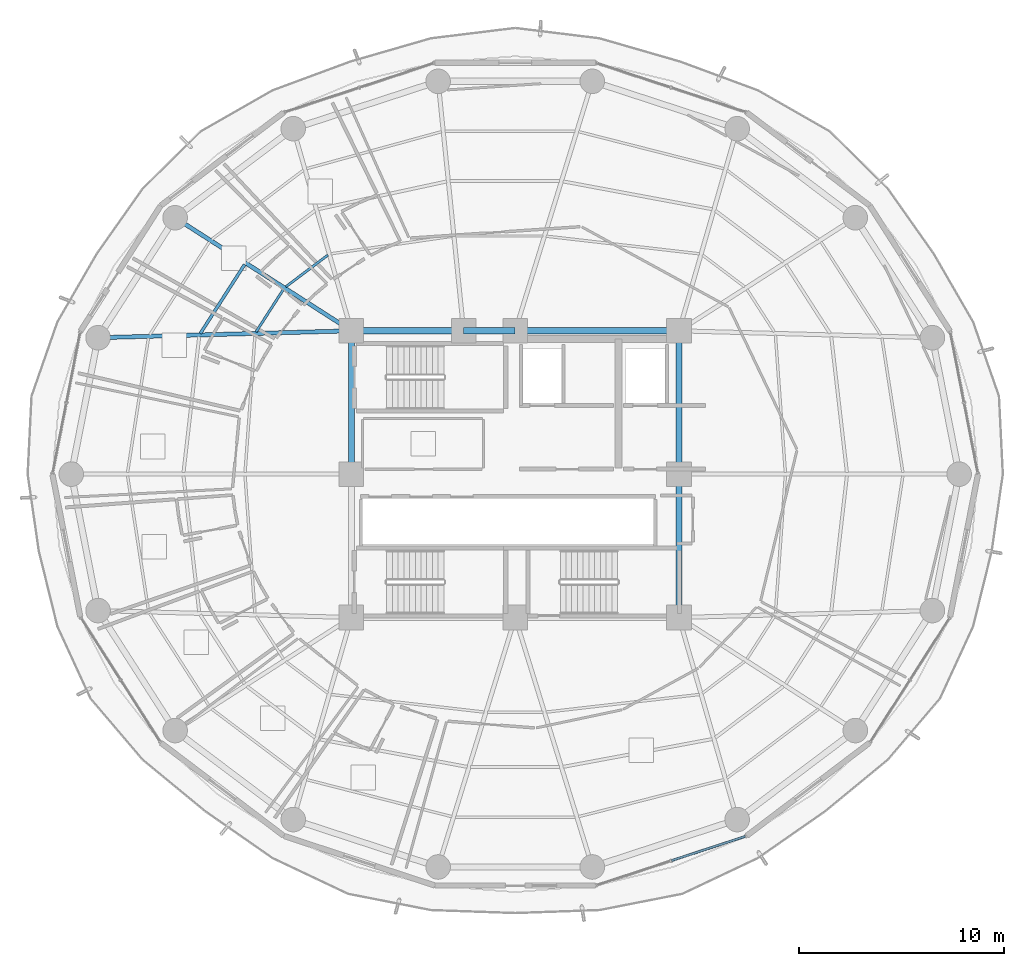
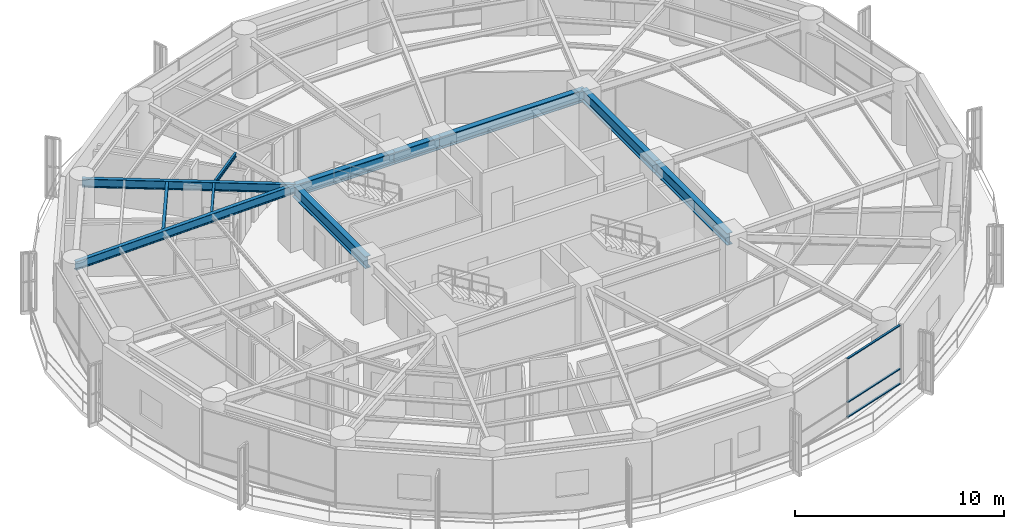
# One storey, part 9 of 27: 11 beams, 3 members, 1 element without a shape of its own.
"""IFC4 building model written with IfcOpenShell, lengths in metres."""

from ifc_helpers import new_model, si_unit, direction, frame, origin, origin_2d, place, context, subcontext, project, spatial, hollow_rectangle, i_section, extrude, material, layer, layer_set, material_profile, profile_set, type_object, element, aggregate, save


model = new_model("IFC4")

# Units and contexts
model_context = context("Model", 3, precision=1e-05, world=origin(), true_north=direction((0.0, 1.0)))
body_context = subcontext(model_context, "Body", "Model", "MODEL_VIEW")
ifc_project = project(units=[si_unit("LENGTHUNIT", "METRE"), si_unit("AREAUNIT", "SQUARE_METRE"), si_unit("VOLUMEUNIT", "CUBIC_METRE"), si_unit("PLANEANGLEUNIT", "RADIAN"), si_unit("MASSUNIT", "GRAM", prefix="KILO")], contexts=[model_context])

# Site, building, storey
site_placement = place(None, origin())
site = spatial("IfcSite", under=ifc_project, at=site_placement, CompositionType="ELEMENT")
building_placement = place(site_placement, origin())
building = spatial("IfcBuilding", under=site, at=building_placement, Name="Kelanora Arch Commons", CompositionType="ELEMENT")
storey_placement = place(building_placement, frame((0.0, 0.0, 143.10009765625)))
storey = spatial("IfcBuildingStorey", under=building, at=storey_placement, Name="L36", CompositionType="ELEMENT", Elevation=143.10009765625)

# Beams
ifc_material_1 = material(Name="Steel S355", Category="steel")
ifc_material_profile_1 = material_profile(ifc_material_1, i_section(OverallWidth=0.300048828125, OverallDepth=0.699951171875, WebThickness=0.01708984375, FlangeThickness=0.031982421875, FilletRadius=0.027099609375, at=origin_2d()), Name="HEB700")
ifc_profile_set_1 = profile_set([ifc_material_profile_1], Name="Steel S355")
beam_type_1 = type_object("IfcBeamType", Name="BM-CORE-HDR", PredefinedType="BEAM", material=ifc_profile_set_1)
for number, where, z_axis, x_axis, name in (
    (1, (82.0, 51.0, 3.139892578125), (0.0, 1.0, 0.0), (-1.0, 0.0, 0.0), "Core Header Beam 03 L36"),
    (2, (82.0, 58.0, 3.139892578125), (0.0, 1.0, 0.0), (-1.0, 0.0, 0.0), "Core Header Beam 04 L36"),
):
    element("IfcBeam", number, at=place(storey_placement, frame(where, z_axis=z_axis, x_axis=x_axis)), inside=storey, type_object=beam_type_1, Name=name, PredefinedType="BEAM", context=body_context, shape_type="SweptSolid", body=[
        extrude(i_section(OverallWidth=0.300048828125, OverallDepth=0.699951171875, WebThickness=0.01708984375, FlangeThickness=0.031982421875, FilletRadius=0.027099609375, at=origin_2d()), origin(), (0.0, 0.0, 1.0), 7.0),
    ])
beam_1_placement = place(storey_placement, frame((82.0, 65.0, 3.139892578125), z_axis=(-1.0, 0.0, 0.0), x_axis=(0.0, -1.0, 0.0)))
element("IfcBeam", 3, at=beam_1_placement, inside=storey, type_object=beam_type_1, Name="Core Header Beam 05 L36", PredefinedType="BEAM", context=body_context, shape_type="SweptSolid", body=[
    extrude(i_section(OverallWidth=0.300048828125, OverallDepth=0.699951171875, WebThickness=0.01708984375, FlangeThickness=0.031982421875, FilletRadius=0.027099609375, at=origin_2d()), origin(), (0.0, 0.0, 1.0), 8.0),
])
beam_2_placement = place(storey_placement, frame((74.0, 65.0, 3.139892578125), z_axis=(-1.0, 0.0, 0.0), x_axis=(0.0, -1.0, 0.0)))
element("IfcBeam", 4, at=beam_2_placement, inside=storey, type_object=beam_type_1, Name="Core Header Beam 06 L36", PredefinedType="BEAM", context=body_context, shape_type="SweptSolid", body=[
    extrude(i_section(OverallWidth=0.300048828125, OverallDepth=0.699951171875, WebThickness=0.01708984375, FlangeThickness=0.031982421875, FilletRadius=0.027099609375, at=origin_2d()), origin(), (0.0, 0.0, 1.0), 2.52001953125),
])
beam_3_placement = place(storey_placement, frame((71.47998046875, 65.0, 3.139892578125), z_axis=(-1.0, 0.0, 0.0), x_axis=(0.0, -1.0, 0.0)))
element("IfcBeam", 5, at=beam_3_placement, inside=storey, type_object=beam_type_1, Name="Core Header Beam 07 L36", PredefinedType="BEAM", context=body_context, shape_type="SweptSolid", body=[
    extrude(i_section(OverallWidth=0.300048828125, OverallDepth=0.699951171875, WebThickness=0.01708984375, FlangeThickness=0.031982421875, FilletRadius=0.027099609375, at=origin_2d()), origin(), (0.0, 0.0, 1.0), 5.47998046875),
])
beam_4_placement = place(storey_placement, frame((66.0, 65.0, 3.139892578125), z_axis=(0.0, -1.0, 0.0), x_axis=(1.0, 0.0, 0.0)))
element("IfcBeam", 6, at=beam_4_placement, inside=storey, type_object=beam_type_1, Name="Core Header Beam 08 L36", PredefinedType="BEAM", context=body_context, shape_type="SweptSolid", body=[
    extrude(i_section(OverallWidth=0.300048828125, OverallDepth=0.699951171875, WebThickness=0.01708984375, FlangeThickness=0.031982421875, FilletRadius=0.027099609375, at=origin_2d()), origin(), (0.0, 0.0, 1.0), 7.0),
])
ifc_material_profile_2 = material_profile(ifc_material_1, i_section(OverallWidth=0.14990234375, OverallDepth=0.300048828125, WebThickness=0.007080078125, FlangeThickness=0.0107421875, FilletRadius=0.014892578125, at=origin_2d()), Name="IPE300")
ifc_profile_set_2 = profile_set([ifc_material_profile_2], Name="Steel S355")
beam_type_2 = type_object("IfcBeamType", Name="BM-JST-01", PredefinedType="JOIST", material=ifc_profile_set_2)
beam_5_placement = place(storey_placement, frame((60.789306640625, 68.241455078125, 3.33984375), z_axis=(-0.540594434398, -0.841283339606, 0.0), x_axis=(0.841283339606, -0.540594434398, 0.0)))
element("IfcBeam", 7, at=beam_5_placement, inside=storey, type_object=beam_type_2, Name="Secondary Chord Joist BJB-14 L36", PredefinedType="JOIST", context=body_context, shape_type="SweptSolid", body=[
    extrude(i_section(OverallWidth=0.14990234375, OverallDepth=0.300048828125, WebThickness=0.007080078125, FlangeThickness=0.0107421875, FilletRadius=0.014892578125, at=origin_2d()), origin(), (0.0, 0.0, 1.0), 4.008544921875),
])
ifc_material_profile_3 = material_profile(ifc_material_1, i_section(OverallWidth=0.1201171875, OverallDepth=0.239990234375, WebThickness=0.006103515625, FlangeThickness=0.009765625, FilletRadius=0.014892578125, at=origin_2d()), Name="IPE240")
ifc_profile_set_3 = profile_set([ifc_material_profile_3], Name="Steel S355")
beam_type_3 = type_object("IfcBeamType", Name="BM-JST-02", PredefinedType="JOIST", material=ifc_profile_set_3)
beam_6_placement = place(storey_placement, frame((64.852783203125, 68.699462890625, 3.369873046875), z_axis=(-0.798484118859, -0.602015873487, 0.0), x_axis=(0.602015873487, -0.798484118859, 0.0)))
element("IfcBeam", 8, at=beam_6_placement, inside=storey, type_object=beam_type_3, Name="Secondary Chord Joist BJA-12 L36", PredefinedType="JOIST", context=body_context, shape_type="SweptSolid", body=[
    extrude(i_section(OverallWidth=0.1201171875, OverallDepth=0.239990234375, WebThickness=0.006103515625, FlangeThickness=0.009765625, FilletRadius=0.014892578125, at=origin_2d()), origin(), (0.0, 0.0, 1.0), 2.57470703125),
])
beam_7_placement = place(storey_placement, frame((62.68310546875, 67.026611328125, 3.369873046875), z_axis=(-0.540583174025, -0.841290575224, 0.0), x_axis=(0.841290575224, -0.540583174025, 0.0)))
element("IfcBeam", 9, at=beam_7_placement, inside=storey, type_object=beam_type_3, Name="Secondary Chord Joist BJA-14 L36", PredefinedType="JOIST", context=body_context, shape_type="SweptSolid", body=[
    extrude(i_section(OverallWidth=0.1201171875, OverallDepth=0.239990234375, WebThickness=0.006103515625, FlangeThickness=0.009765625, FilletRadius=0.014892578125, at=origin_2d()), origin(), (0.0, 0.0, 1.0), 2.476318359375),
])
ifc_material_profile_4 = material_profile(ifc_material_1, i_section(OverallWidth=0.199951171875, OverallDepth=0.5, WebThickness=0.01025390625, FlangeThickness=0.01611328125, FilletRadius=0.02099609375, at=origin_2d()), Name="IPE500")
ifc_profile_set_4 = profile_set([ifc_material_profile_4], Name="Steel S355")
beam_type_4 = type_object("IfcBeamType", Name="BM-RAD-Z3", PredefinedType="BEAM", material=ifc_profile_set_4)
beam_8_placement = place(storey_placement, frame((66.0, 65.0, 3.239990234375), z_axis=(-0.841719465748, 0.539915123868, 0.0), x_axis=(-0.539915123868, -0.841719465748, 0.0)))
element("IfcBeam", 10, at=beam_8_placement, inside=storey, type_object=beam_type_4, Name="Radial Floor Girder BR-14 L36", PredefinedType="BEAM", context=body_context, shape_type="SweptSolid", body=[
    extrude(i_section(OverallWidth=0.199951171875, OverallDepth=0.5, WebThickness=0.01025390625, FlangeThickness=0.01611328125, FilletRadius=0.02099609375, at=origin_2d()), origin(), (0.0, 0.0, 1.0), 10.2265625),
])
beam_9_placement = place(storey_placement, frame((66.0, 65.0, 3.239990234375), z_axis=(-0.999628374924, -0.027260081577, 0.0), x_axis=(0.027260081577, -0.999628374924, 0.0)))
element("IfcBeam", 11, at=beam_9_placement, inside=storey, type_object=beam_type_4, Name="Radial Floor Girder BR-16 L36", PredefinedType="BEAM", context=body_context, shape_type="SweptSolid", body=[
    extrude(i_section(OverallWidth=0.199951171875, OverallDepth=0.5, WebThickness=0.01025390625, FlangeThickness=0.01611328125, FilletRadius=0.02099609375, at=origin_2d()), origin(), (0.0, 0.0, 1.0), 12.377197265625),
])

# Curtain wall, members
ifc_material_2 = material(Name="Terracotta ceramic-fritted low-E glass and aluminium", Category="masonry")
ifc_layer = layer(ifc_material_2, 0.175048828125)
ifc_layer_set = layer_set([ifc_layer], Name="Terracotta ceramic-fritted low-E glass and aluminium")
curtain_wall_type = type_object("IfcCurtainWallType", Name="CW-SYS-02", PredefinedType="NOTDEFINED", material=ifc_layer_set)
curtain_wall_placement = place(storey_placement, origin())
curtain_wall = element("IfcCurtainWall", 12, at=curtain_wall_placement, inside=storey, type_object=curtain_wall_type, Name="Unitised Curtain Wall L36-B14", PredefinedType="NOTDEFINED")
ifc_material_3 = material(Name="Powder-coated aluminium terracotta", Category="masonry")
ifc_material_profile_5 = material_profile(ifc_material_3, hollow_rectangle(XDim=0.1201171875, YDim=0.06005859375, WallThickness=0.0048828125, InnerFilletRadius=0.0048828125, OuterFilletRadius=0.010009765625, at=origin_2d()), Name="CWT120x60")
ifc_profile_set_5 = profile_set([ifc_material_profile_5], Name="Powder-coated aluminium terracotta")
member_type = type_object("IfcMemberType", Name="CWT-STD", PredefinedType="USERDEFINED", material=ifc_profile_set_5)
member_1_placement = place(storey_placement, frame((81.640625, 39.130859375, 0.02978515625), z_axis=(0.950051191155, 0.312094111104, 0.0), x_axis=(-0.312094111104, 0.950051191155, 0.0)))
member_1 = element("IfcMember", 13, at=member_1_placement, type_object=member_type, Name="CW-02 transom 2.1", ObjectType="TRANSOM", PredefinedType="USERDEFINED", context=body_context, shape_type="SweptSolid", body=[
    extrude(hollow_rectangle(XDim=0.1201171875, YDim=0.06005859375, WallThickness=0.0048828125, InnerFilletRadius=0.0048828125, OuterFilletRadius=0.010009765625, at=origin_2d()), origin(), (0.0, 0.0, 1.0), 3.77685546875),
])
member_2_placement = place(storey_placement, frame((81.640625, 39.130859375, 0.89990234375), z_axis=(0.950051191155, 0.312094111104, 0.0), x_axis=(-0.312094111104, 0.950051191155, 0.0)))
member_2 = element("IfcMember", 14, at=member_2_placement, type_object=member_type, Name="CW-02 transom 2.2", ObjectType="TRANSOM", PredefinedType="USERDEFINED", context=body_context, shape_type="SweptSolid", body=[
    extrude(hollow_rectangle(XDim=0.1201171875, YDim=0.06005859375, WallThickness=0.0048828125, InnerFilletRadius=0.0048828125, OuterFilletRadius=0.010009765625, at=origin_2d()), origin(), (0.0, 0.0, 1.0), 3.77685546875),
])
member_3_placement = place(storey_placement, frame((81.640625, 39.130859375, 3.44482421875), z_axis=(0.950051191155, 0.312094111104, 0.0), x_axis=(-0.312094111104, 0.950051191155, 0.0)))
member_3 = element("IfcMember", 15, at=member_3_placement, type_object=member_type, Name="CW-02 transom 2.3", ObjectType="TRANSOM", PredefinedType="USERDEFINED", context=body_context, shape_type="SweptSolid", body=[
    extrude(hollow_rectangle(XDim=0.1201171875, YDim=0.06005859375, WallThickness=0.0048828125, InnerFilletRadius=0.0048828125, OuterFilletRadius=0.010009765625, at=origin_2d()), origin(), (0.0, 0.0, 1.0), 3.77685546875),
])
aggregate(curtain_wall, [member_1, member_2, member_3])

save(model, "model.ifc")
